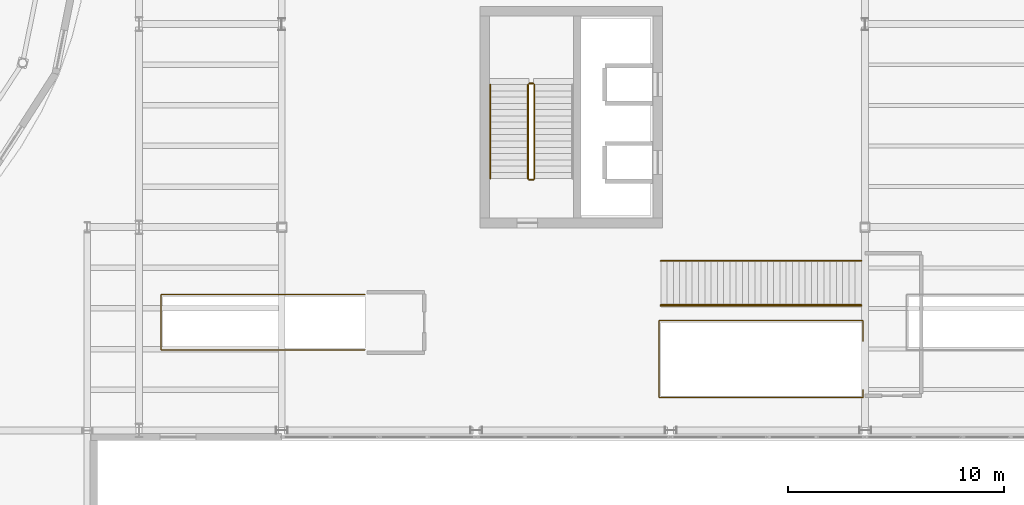
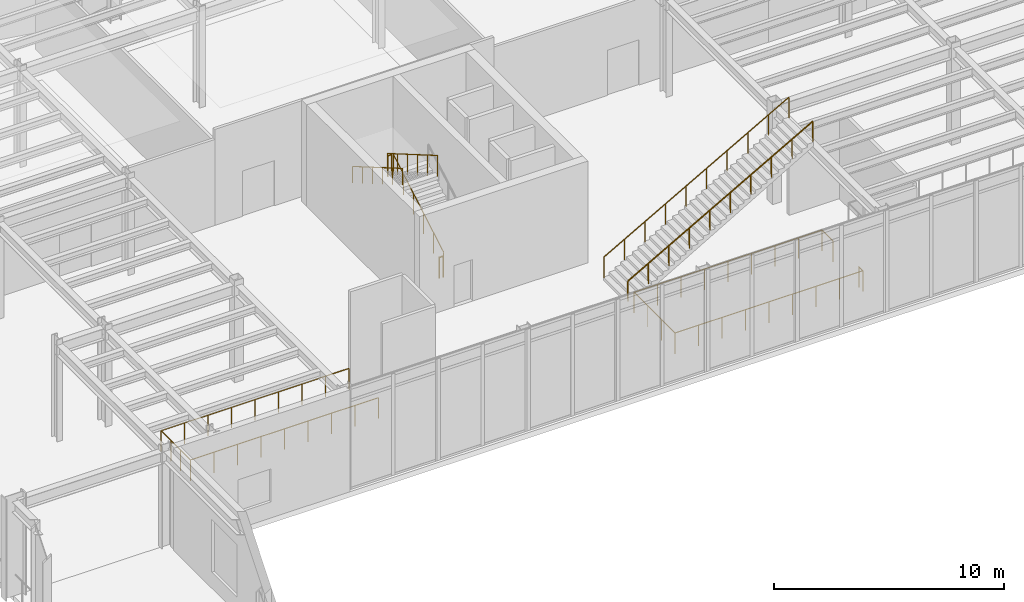
# One storey, part 95 of 98: 10 railings.
"""IFC4 building model written with IfcOpenShell, lengths in metres."""

from ifc_helpers import new_model, si_unit, direction, frame, origin, origin_2d, place, context, subcontext, project, spatial, circle, extrude, material, type_object, element, save


model = new_model("IFC4")

# Units and contexts
model_context = context("Model", 3, precision=1e-05, world=origin(), true_north=direction((0.0, 1.0)))
body_context = subcontext(model_context, "Body", "Model", "MODEL_VIEW")
ifc_project = project(units=[si_unit("LENGTHUNIT", "METRE"), si_unit("AREAUNIT", "SQUARE_METRE"), si_unit("VOLUMEUNIT", "CUBIC_METRE"), si_unit("PLANEANGLEUNIT", "RADIAN"), si_unit("MASSUNIT", "GRAM", prefix="KILO")], contexts=[model_context])

# Site, building, storey
site_placement = place(None, origin())
site = spatial("IfcSite", under=ifc_project, at=site_placement, CompositionType="ELEMENT")
building_placement = place(site_placement, origin())
building = spatial("IfcBuilding", under=site, at=building_placement, Name="Sollismere Congress Hotel", CompositionType="ELEMENT")
storey_placement = place(building_placement, frame((0.0, 0.0, 5.39990234375)))
storey = spatial("IfcBuildingStorey", under=building, at=storey_placement, Name="L01", CompositionType="ELEMENT", Elevation=5.39990234375)

# Railings
ifc_material_1 = material(Name="Bronze and Laminated Safety Glass", Category="glass")
railing_type_1 = type_object("IfcRailingType", Name="RL-BAL112I", PredefinedType="BALUSTRADE", material=ifc_material_1)
railing_1_placement = place(storey_placement, frame((93.89990234375, 68.679931640625, 0.0)))
element("IfcRailing", 1, at=railing_1_placement, inside=storey, type_object=railing_type_1, Name="RLG-GDA-L01-005", PredefinedType="BALUSTRADE", context=body_context, shape_type="SweptSolid", body=[
    extrude(circle(Radius=0.02392578125, at=origin_2d()), frame((0.0, 0.0, 1.09619140625), z_axis=(0.0, -1.0, 0.0), x_axis=(1.0, 0.0, 0.0)), (0.0, 0.0, 1.0), 0.35986328125),
    extrude(circle(Radius=0.02392578125, at=origin_2d()), frame((0.0, -0.35986328125, 1.09619140625), z_axis=(-1.0, 0.0, 0.0), x_axis=(0.0, -1.0, 0.0)), (0.0, 0.0, 1.0), 9.429931640625),
    extrude(circle(Radius=0.02392578125, at=origin_2d()), frame((-9.429931640625, -0.35986328125, 1.09619140625), z_axis=(0.0, 1.0, 0.0), x_axis=(-1.0, 0.0, 0.0)), (0.0, 0.0, 1.0), 3.559814453125),
    extrude(circle(Radius=0.02392578125, at=origin_2d()), frame((-9.429931640625, 3.199951171875, 1.09619140625), z_axis=(1.0, 0.0, 0.0), x_axis=(0.0, 1.0, 0.0)), (0.0, 0.0, 1.0), 9.429931640625),
    extrude(circle(Radius=0.02392578125, at=origin_2d()), frame((0.0, 3.199951171875, 1.09619140625), z_axis=(0.0, -1.0, 0.0), x_axis=(1.0, 0.0, 0.0)), (0.0, 0.0, 1.0), 0.9599609375),
    extrude(circle(Radius=0.02099609375, at=origin_2d()), origin(), (0.0, 0.0, 1.0), 1.072021484375),
    extrude(circle(Radius=0.02099609375, at=origin_2d()), frame((0.0, -0.35986328125, 0.0)), (0.0, 0.0, 1.0), 1.072021484375),
    extrude(circle(Radius=0.02099609375, at=origin_2d()), frame((-1.1787109375, -0.35986328125, 0.0)), (0.0, 0.0, 1.0), 1.072021484375),
    extrude(circle(Radius=0.02099609375, at=origin_2d()), frame((-2.357421875, -0.35986328125, 0.0)), (0.0, 0.0, 1.0), 1.072021484375),
    extrude(circle(Radius=0.02099609375, at=origin_2d()), frame((-3.5361328125, -0.35986328125, 0.0)), (0.0, 0.0, 1.0), 1.072021484375),
    extrude(circle(Radius=0.02099609375, at=origin_2d()), frame((-4.71484375, -0.35986328125, 0.0)), (0.0, 0.0, 1.0), 1.072021484375),
    extrude(circle(Radius=0.02099609375, at=origin_2d()), frame((-5.893798828125, -0.35986328125, 0.0)), (0.0, 0.0, 1.0), 1.072021484375),
    extrude(circle(Radius=0.02099609375, at=origin_2d()), frame((-7.072509765625, -0.35986328125, 0.0)), (0.0, 0.0, 1.0), 1.072021484375),
    extrude(circle(Radius=0.02099609375, at=origin_2d()), frame((-8.251220703125, -0.35986328125, 0.0)), (0.0, 0.0, 1.0), 1.072021484375),
    extrude(circle(Radius=0.02099609375, at=origin_2d()), frame((-9.429931640625, -0.35986328125, 0.0)), (0.0, 0.0, 1.0), 1.072021484375),
    extrude(circle(Radius=0.02099609375, at=origin_2d()), frame((-9.429931640625, 0.82666015625, 0.0)), (0.0, 0.0, 1.0), 1.072021484375),
    extrude(circle(Radius=0.02099609375, at=origin_2d()), frame((-9.429931640625, 2.013427734375, 0.0)), (0.0, 0.0, 1.0), 1.072021484375),
    extrude(circle(Radius=0.02099609375, at=origin_2d()), frame((-9.429931640625, 3.199951171875, 0.0)), (0.0, 0.0, 1.0), 1.072021484375),
    extrude(circle(Radius=0.02099609375, at=origin_2d()), frame((-8.251220703125, 3.199951171875, 0.0)), (0.0, 0.0, 1.0), 1.072021484375),
    extrude(circle(Radius=0.02099609375, at=origin_2d()), frame((-7.072509765625, 3.199951171875, 0.0)), (0.0, 0.0, 1.0), 1.072021484375),
    extrude(circle(Radius=0.02099609375, at=origin_2d()), frame((-5.893798828125, 3.199951171875, 0.0)), (0.0, 0.0, 1.0), 1.072021484375),
    extrude(circle(Radius=0.02099609375, at=origin_2d()), frame((-4.71484375, 3.199951171875, 0.0)), (0.0, 0.0, 1.0), 1.072021484375),
    extrude(circle(Radius=0.02099609375, at=origin_2d()), frame((-3.5361328125, 3.199951171875, 0.0)), (0.0, 0.0, 1.0), 1.072021484375),
    extrude(circle(Radius=0.02099609375, at=origin_2d()), frame((-2.357421875, 3.199951171875, 0.0)), (0.0, 0.0, 1.0), 1.072021484375),
    extrude(circle(Radius=0.02099609375, at=origin_2d()), frame((-1.1787109375, 3.199951171875, 0.0)), (0.0, 0.0, 1.0), 1.072021484375),
    extrude(circle(Radius=0.02099609375, at=origin_2d()), frame((0.0, 3.199951171875, 0.0)), (0.0, 0.0, 1.0), 1.072021484375),
    extrude(circle(Radius=0.02099609375, at=origin_2d()), frame((0.0, 2.239990234375, 0.0)), (0.0, 0.0, 1.0), 1.072021484375),
])
ifc_material_2 = material(Name="Steel ASTM A500 Grade C", Category="steel")
railing_type_2 = type_object("IfcRailingType", Name="RL-GRD112", PredefinedType="GUARDRAIL", material=ifc_material_2)
railing_2_placement = place(storey_placement, frame((78.699951171875, 78.449951171875, 0.1689453125)))
element("IfcRailing", 2, at=railing_2_placement, inside=storey, type_object=railing_type_2, Name="RLG-RG-ST-04-L01-1", PredefinedType="GUARDRAIL", context=body_context, shape_type="SweptSolid", body=[
    extrude(circle(Radius=0.02392578125, at=origin_2d()), frame((0.0, 0.0, 1.09619140625), z_axis=(0.0, 0.864323800911, 0.50293574856), x_axis=(-1.0, 0.0, 0.0)), (0.0, 0.0, 1.0), 5.032958984375),
    extrude(circle(Radius=0.02099609375, at=origin_2d()), origin(), (0.0, 0.0, 1.0), 1.072021484375),
    extrude(circle(Radius=0.02099609375, at=origin_2d()), frame((0.0, 0.8701171875, 0.50634765625)), (0.0, 0.0, 1.0), 1.072021484375),
    extrude(circle(Radius=0.02099609375, at=origin_2d()), frame((0.0, 1.739990234375, 1.012451171875)), (0.0, 0.0, 1.0), 1.072021484375),
    extrude(circle(Radius=0.02099609375, at=origin_2d()), frame((0.0, 2.610107421875, 1.518798828125)), (0.0, 0.0, 1.0), 1.072021484375),
    extrude(circle(Radius=0.02099609375, at=origin_2d()), frame((0.0, 3.47998046875, 2.02490234375)), (0.0, 0.0, 1.0), 1.072021484375),
    extrude(circle(Radius=0.02099609375, at=origin_2d()), frame((0.0, 4.35009765625, 2.53125)), (0.0, 0.0, 1.0), 1.072021484375),
])
railing_3_placement = place(storey_placement, frame((78.64990234375, 82.85009765625, 2.7001953125)))
element("IfcRailing", 3, at=railing_3_placement, inside=storey, type_object=railing_type_2, Name="RLG-RG-ST-04-L01-2", PredefinedType="GUARDRAIL", context=body_context, shape_type="SweptSolid", body=[
    extrude(circle(Radius=0.02392578125, at=origin_2d()), frame((0.0, 0.0, 1.09619140625), z_axis=(-1.0, 0.0, 0.0), x_axis=(0.0, -1.0, 0.0)), (0.0, 0.0, 1.0), 0.199951171875),
    extrude(circle(Radius=0.02099609375, at=origin_2d()), origin(), (0.0, 0.0, 1.0), 1.072021484375),
    extrude(circle(Radius=0.02099609375, at=origin_2d()), frame((-0.199951171875, 0.0, 0.0)), (0.0, 0.0, 1.0), 1.072021484375),
])
railing_4_placement = place(storey_placement, frame((78.39990234375, 82.800048828125, 2.868896484375)))
element("IfcRailing", 4, at=railing_4_placement, inside=storey, type_object=railing_type_2, Name="RLG-RG-ST-04-L01-3", PredefinedType="GUARDRAIL", context=body_context, shape_type="SweptSolid", body=[
    extrude(circle(Radius=0.02392578125, at=origin_2d()), frame((0.0, 0.0, 1.09619140625), z_axis=(0.0, -0.864323800911, 0.50293574856), x_axis=(1.0, 0.0, 0.0)), (0.0, 0.0, 1.0), 5.032958984375),
    extrude(circle(Radius=0.02099609375, at=origin_2d()), origin(), (0.0, 0.0, 1.0), 1.072021484375),
    extrude(circle(Radius=0.02099609375, at=origin_2d()), frame((0.0, -0.8701171875, 0.50634765625)), (0.0, 0.0, 1.0), 1.072021484375),
    extrude(circle(Radius=0.02099609375, at=origin_2d()), frame((0.0, -1.739990234375, 1.012451171875)), (0.0, 0.0, 1.0), 1.072021484375),
    extrude(circle(Radius=0.02099609375, at=origin_2d()), frame((0.0, -2.610107421875, 1.518798828125)), (0.0, 0.0, 1.0), 1.072021484375),
    extrude(circle(Radius=0.02099609375, at=origin_2d()), frame((0.0, -3.47998046875, 2.02490234375)), (0.0, 0.0, 1.0), 1.072021484375),
    extrude(circle(Radius=0.02099609375, at=origin_2d()), frame((0.0, -4.35009765625, 2.53125)), (0.0, 0.0, 1.0), 1.072021484375),
])
railing_5_placement = place(storey_placement, frame((78.64990234375, 78.39990234375, 0.0)))
element("IfcRailing", 5, at=railing_5_placement, inside=storey, type_object=railing_type_2, Name="RLG-RG-ST-04-L01-4", PredefinedType="GUARDRAIL", context=body_context, shape_type="SweptSolid", body=[
    extrude(circle(Radius=0.02392578125, at=origin_2d()), frame((0.0, 0.0, 1.09619140625), z_axis=(-1.0, 0.0, 0.0), x_axis=(0.0, -1.0, 0.0)), (0.0, 0.0, 1.0), 0.199951171875),
    extrude(circle(Radius=0.02099609375, at=origin_2d()), origin(), (0.0, 0.0, 1.0), 1.072021484375),
    extrude(circle(Radius=0.02099609375, at=origin_2d()), frame((-0.199951171875, 0.0, 0.0)), (0.0, 0.0, 1.0), 1.072021484375),
])
for number, where, name in (
    (6, (84.550048828125, 72.56005859375, 0.170166015625), "RLG-RG-ST-12-A"),
    (7, (84.550048828125, 74.639892578125, 0.170166015625), "RLG-RG-ST-12-B"),
):
    element("IfcRailing", number, at=place(storey_placement, frame(where)), inside=storey, type_object=railing_type_2, Name=name, PredefinedType="GUARDRAIL", context=body_context, shape_type="SweptSolid", body=[
        extrude(circle(Radius=0.02392578125, at=origin_2d()), frame((0.0, 0.0, 1.09619140625), z_axis=(0.871175558498, 0.0, 0.490971634899), x_axis=(0.0, 1.0, 0.0)), (0.0, 0.0, 1.0), 10.65234375),
        extrude(circle(Radius=0.02099609375, at=origin_2d()), origin(), (0.0, 0.0, 1.0), 1.072021484375),
        extrude(circle(Radius=0.02099609375, at=origin_2d()), frame((1.031005859375, 0.0, 0.5810546875)), (0.0, 0.0, 1.0), 1.072021484375),
        extrude(circle(Radius=0.02099609375, at=origin_2d()), frame((2.062255859375, 0.0, 1.162109375)), (0.0, 0.0, 1.0), 1.072021484375),
        extrude(circle(Radius=0.02099609375, at=origin_2d()), frame((3.09326171875, 0.0, 1.743408203125)), (0.0, 0.0, 1.0), 1.072021484375),
        extrude(circle(Radius=0.02099609375, at=origin_2d()), frame((4.12451171875, 0.0, 2.324462890625)), (0.0, 0.0, 1.0), 1.072021484375),
        extrude(circle(Radius=0.02099609375, at=origin_2d()), frame((5.155517578125, 0.0, 2.905517578125)), (0.0, 0.0, 1.0), 1.072021484375),
        extrude(circle(Radius=0.02099609375, at=origin_2d()), frame((6.186767578125, 0.0, 3.486572265625)), (0.0, 0.0, 1.0), 1.072021484375),
        extrude(circle(Radius=0.02099609375, at=origin_2d()), frame((7.2177734375, 0.0, 4.06787109375)), (0.0, 0.0, 1.0), 1.072021484375),
        extrude(circle(Radius=0.02099609375, at=origin_2d()), frame((8.2490234375, 0.0, 4.64892578125)), (0.0, 0.0, 1.0), 1.072021484375),
        extrude(circle(Radius=0.02099609375, at=origin_2d()), frame((9.280029296875, 0.0, 5.22998046875)), (0.0, 0.0, 1.0), 1.072021484375),
    ])
railing_6_placement = place(storey_placement, frame((70.85009765625, 70.52001953125, 0.0)))
element("IfcRailing", 8, at=railing_6_placement, inside=storey, type_object=railing_type_2, Name="RLG-GDA-L01-001", PredefinedType="GUARDRAIL", context=body_context, shape_type="SweptSolid", body=[
    extrude(circle(Radius=0.02392578125, at=origin_2d()), frame((0.0, 0.0, 1.09619140625), z_axis=(-1.0, 0.0, 0.0), x_axis=(0.0, -1.0, 0.0)), (0.0, 0.0, 1.0), 9.43017578125),
    extrude(circle(Radius=0.02392578125, at=origin_2d()), frame((-9.43017578125, 0.0, 1.09619140625), z_axis=(0.0, 1.0, 0.0), x_axis=(-1.0, 0.0, 0.0)), (0.0, 0.0, 1.0), 2.56005859375),
    extrude(circle(Radius=0.02392578125, at=origin_2d()), frame((-9.43017578125, 2.56005859375, 1.09619140625), z_axis=(1.0, 0.0, 0.0), x_axis=(0.0, 1.0, 0.0)), (0.0, 0.0, 1.0), 9.43017578125),
    extrude(circle(Radius=0.02099609375, at=origin_2d()), origin(), (0.0, 0.0, 1.0), 1.072021484375),
    extrude(circle(Radius=0.02099609375, at=origin_2d()), frame((-1.1787109375, 0.0, 0.0)), (0.0, 0.0, 1.0), 1.072021484375),
    extrude(circle(Radius=0.02099609375, at=origin_2d()), frame((-2.357421875, 0.0, 0.0)), (0.0, 0.0, 1.0), 1.072021484375),
    extrude(circle(Radius=0.02099609375, at=origin_2d()), frame((-3.536376953125, 0.0, 0.0)), (0.0, 0.0, 1.0), 1.072021484375),
    extrude(circle(Radius=0.02099609375, at=origin_2d()), frame((-4.715087890625, 0.0, 0.0)), (0.0, 0.0, 1.0), 1.072021484375),
    extrude(circle(Radius=0.02099609375, at=origin_2d()), frame((-5.893798828125, 0.0, 0.0)), (0.0, 0.0, 1.0), 1.072021484375),
    extrude(circle(Radius=0.02099609375, at=origin_2d()), frame((-7.07275390625, 0.0, 0.0)), (0.0, 0.0, 1.0), 1.072021484375),
    extrude(circle(Radius=0.02099609375, at=origin_2d()), frame((-8.25146484375, 0.0, 0.0)), (0.0, 0.0, 1.0), 1.072021484375),
    extrude(circle(Radius=0.02099609375, at=origin_2d()), frame((-9.43017578125, 0.0, 0.0)), (0.0, 0.0, 1.0), 1.072021484375),
    extrude(circle(Radius=0.02099609375, at=origin_2d()), frame((-9.43017578125, 0.853271484375, 0.0)), (0.0, 0.0, 1.0), 1.072021484375),
    extrude(circle(Radius=0.02099609375, at=origin_2d()), frame((-9.43017578125, 1.706787109375, 0.0)), (0.0, 0.0, 1.0), 1.072021484375),
    extrude(circle(Radius=0.02099609375, at=origin_2d()), frame((-9.43017578125, 2.56005859375, 0.0)), (0.0, 0.0, 1.0), 1.072021484375),
    extrude(circle(Radius=0.02099609375, at=origin_2d()), frame((-8.25146484375, 2.56005859375, 0.0)), (0.0, 0.0, 1.0), 1.072021484375),
    extrude(circle(Radius=0.02099609375, at=origin_2d()), frame((-7.07275390625, 2.56005859375, 0.0)), (0.0, 0.0, 1.0), 1.072021484375),
    extrude(circle(Radius=0.02099609375, at=origin_2d()), frame((-5.893798828125, 2.56005859375, 0.0)), (0.0, 0.0, 1.0), 1.072021484375),
    extrude(circle(Radius=0.02099609375, at=origin_2d()), frame((-4.715087890625, 2.56005859375, 0.0)), (0.0, 0.0, 1.0), 1.072021484375),
    extrude(circle(Radius=0.02099609375, at=origin_2d()), frame((-3.536376953125, 2.56005859375, 0.0)), (0.0, 0.0, 1.0), 1.072021484375),
    extrude(circle(Radius=0.02099609375, at=origin_2d()), frame((-2.357421875, 2.56005859375, 0.0)), (0.0, 0.0, 1.0), 1.072021484375),
    extrude(circle(Radius=0.02099609375, at=origin_2d()), frame((-1.1787109375, 2.56005859375, 0.0)), (0.0, 0.0, 1.0), 1.072021484375),
    extrude(circle(Radius=0.02099609375, at=origin_2d()), frame((0.0, 2.56005859375, 0.0)), (0.0, 0.0, 1.0), 1.072021484375),
])
ifc_material_3 = material(Name="Brushed Architectural Bronze")
railing_type_3 = type_object("IfcRailingType", Name="RL-HND90", PredefinedType="HANDRAIL", material=ifc_material_3)
railing_7_placement = place(storey_placement, frame((76.64990234375, 82.800048828125, 3.013671875)))
element("IfcRailing", 9, at=railing_7_placement, inside=storey, type_object=railing_type_3, Name="RLG-RH-ST-04-L01-2", PredefinedType="HANDRAIL", context=body_context, shape_type="SweptSolid", body=[
    extrude(circle(Radius=0.02392578125, at=origin_2d()), frame((0.0, 0.0, 0.8759765625), z_axis=(0.0, -0.864323800911, 0.50293574856), x_axis=(1.0, 0.0, 0.0)), (0.0, 0.0, 1.0), 5.032958984375),
    extrude(circle(Radius=0.02099609375, at=origin_2d()), origin(), (0.0, 0.0, 1.0), 0.851806640625),
    extrude(circle(Radius=0.02099609375, at=origin_2d()), frame((0.0, -0.8701171875, 0.50634765625)), (0.0, 0.0, 1.0), 0.851806640625),
    extrude(circle(Radius=0.02099609375, at=origin_2d()), frame((0.0, -1.739990234375, 1.012451171875)), (0.0, 0.0, 1.0), 0.851806640625),
    extrude(circle(Radius=0.02099609375, at=origin_2d()), frame((0.0, -2.610107421875, 1.518798828125)), (0.0, 0.0, 1.0), 0.851806640625),
    extrude(circle(Radius=0.02099609375, at=origin_2d()), frame((0.0, -3.47998046875, 2.02490234375)), (0.0, 0.0, 1.0), 0.851806640625),
    extrude(circle(Radius=0.02099609375, at=origin_2d()), frame((0.0, -4.35009765625, 2.53125)), (0.0, 0.0, 1.0), 0.851806640625),
])
railing_8_placement = place(storey_placement, frame((84.550048828125, 72.60009765625, 0.3134765625)))
element("IfcRailing", 10, at=railing_8_placement, inside=storey, type_object=railing_type_3, Name="RLG-RH-ST-12", PredefinedType="HANDRAIL", context=body_context, shape_type="SweptSolid", body=[
    extrude(circle(Radius=0.02392578125, at=origin_2d()), frame((0.0, 0.0, 0.8759765625), z_axis=(0.871116738291, 0.0, 0.491075990321), x_axis=(0.0, 1.0, 0.0)), (0.0, 0.0, 1.0), 10.653076171875),
    extrude(circle(Radius=0.02099609375, at=origin_2d()), origin(), (0.0, 0.0, 1.0), 0.851806640625),
    extrude(circle(Radius=0.02099609375, at=origin_2d()), frame((1.031005859375, 0.0, 0.581298828125)), (0.0, 0.0, 1.0), 0.851806640625),
    extrude(circle(Radius=0.02099609375, at=origin_2d()), frame((2.062255859375, 0.0, 1.16259765625)), (0.0, 0.0, 1.0), 0.851806640625),
    extrude(circle(Radius=0.02099609375, at=origin_2d()), frame((3.09326171875, 0.0, 1.743896484375)), (0.0, 0.0, 1.0), 0.851806640625),
    extrude(circle(Radius=0.02099609375, at=origin_2d()), frame((4.12451171875, 0.0, 2.3251953125)), (0.0, 0.0, 1.0), 0.851806640625),
    extrude(circle(Radius=0.02099609375, at=origin_2d()), frame((5.155517578125, 0.0, 2.90625)), (0.0, 0.0, 1.0), 0.851806640625),
    extrude(circle(Radius=0.02099609375, at=origin_2d()), frame((6.186767578125, 0.0, 3.487548828125)), (0.0, 0.0, 1.0), 0.851806640625),
    extrude(circle(Radius=0.02099609375, at=origin_2d()), frame((7.2177734375, 0.0, 4.06884765625)), (0.0, 0.0, 1.0), 0.851806640625),
    extrude(circle(Radius=0.02099609375, at=origin_2d()), frame((8.2490234375, 0.0, 4.650146484375)), (0.0, 0.0, 1.0), 0.851806640625),
    extrude(circle(Radius=0.02099609375, at=origin_2d()), frame((9.280029296875, 0.0, 5.2314453125)), (0.0, 0.0, 1.0), 0.851806640625),
])

save(model, "model.ifc")
